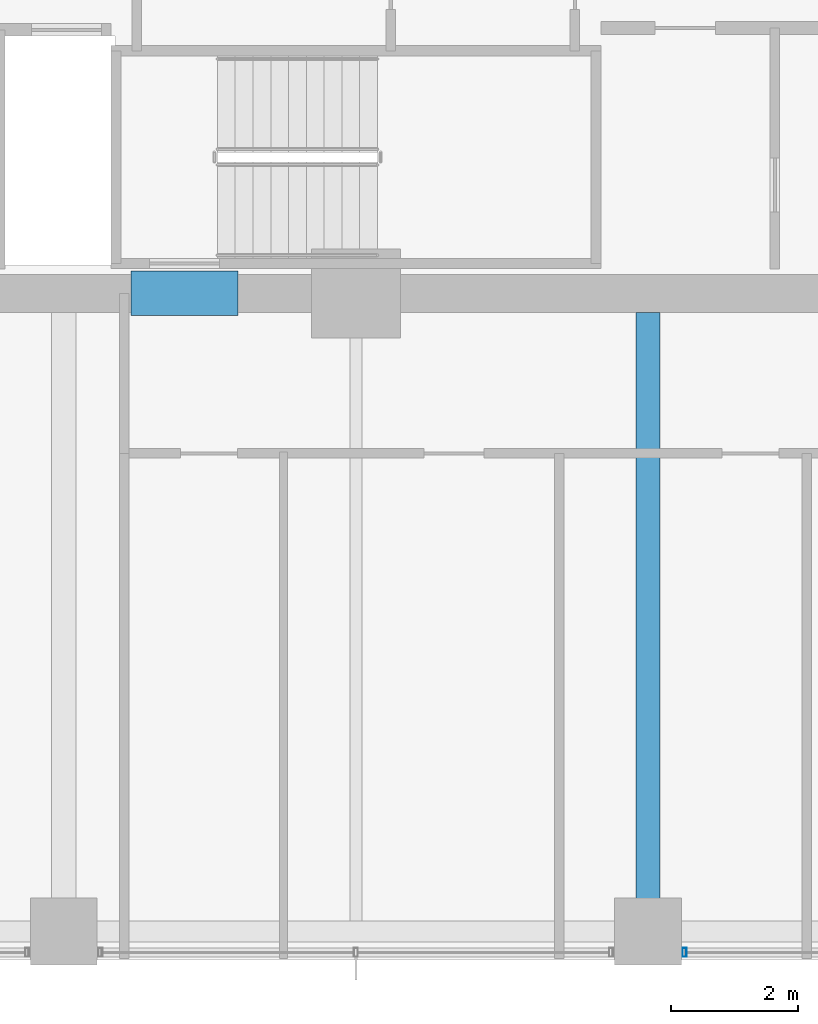
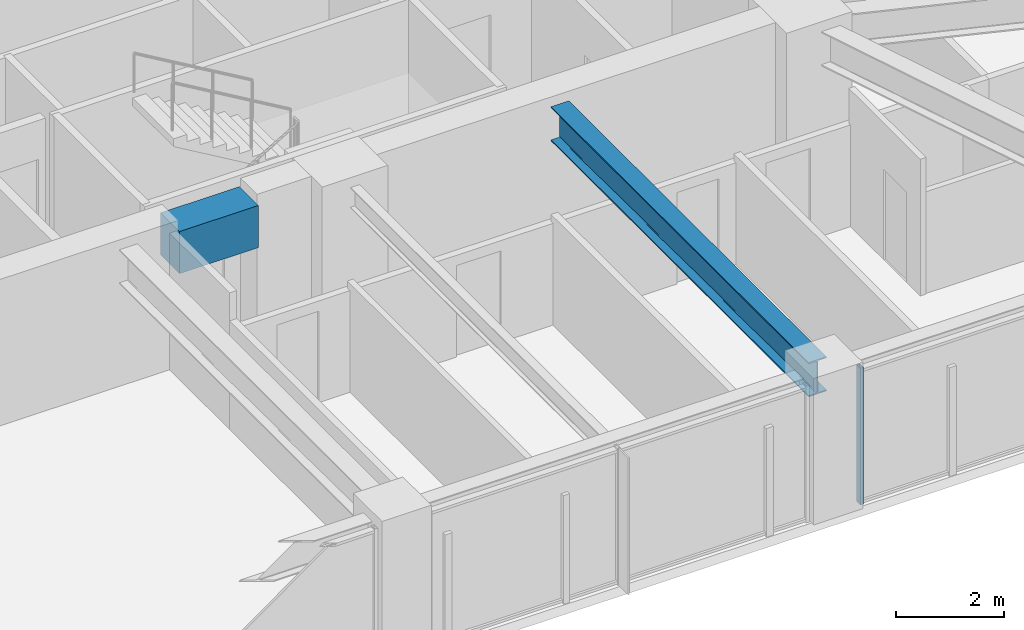
# One storey, part 7 of 36: 2 beams, 1 member, 1 element without a shape of its own.
"""IFC4 building model written with IfcOpenShell, lengths in metres."""

import ifcopenshell
import ifcopenshell.guid

model = None  # the IFC model being written
_history = None  # IfcOwnerHistory: only IFC2X3 demands one
_inside = {}  # id of a spatial element -> (the spatial element, [elements in it])
_under = {}  # id of a project, library or spatial element -> (it, [spatial elements below it])
_declared = {}  # id of a project -> (the project, [libraries it declares])
_typed = {}  # id of a type object -> (the type object, [elements of that type])
_made_of = {}  # id of a material, layer set ... -> (it, [elements and type objects made of it])


def new_model(schema):
    """Start an empty IFC model of exactly this schema.

    Asked for "IFC4X3", IfcOpenShell would pick the latest addendum, in which some entities
    have other attributes; the version numbers below select the first issue.
    IFC2X3 requires an IfcOwnerHistory on every rooted entity: one is made here for all.
    """
    global model, _history
    if schema == "IFC4X3":
        model = ifcopenshell.file(schema_version=(4, 3, 0, 0))
    else:
        model = ifcopenshell.file(schema=schema)
    _inside.clear()
    _under.clear()
    _declared.clear()
    _typed.clear()
    _made_of.clear()
    _history = None
    if model.schema == "IFC2X3":
        org = make("IfcOrganization", Name="unknown")
        user = make(
            "IfcPersonAndOrganization",
            ThePerson=make("IfcPerson", FamilyName="unknown"),
            TheOrganization=org,
        )
        app = make(
            "IfcApplication",
            ApplicationDeveloper=org,
            Version="unknown",
            ApplicationFullName="unknown",
            ApplicationIdentifier="unknown",
        )
        _history = make(
            "IfcOwnerHistory",
            OwningUser=user,
            OwningApplication=app,
            ChangeAction="ADDED",
            CreationDate=0,
        )
    return model


def make(cls, **values):
    """One entity of the class cls with the attributes given. An attribute that is None is left unset."""
    return model.create_entity(
        cls, **{name: value for name, value in values.items() if value is not None}
    )


def rooted(cls, **values):
    """An entity with a GlobalId (a new one), such as an element, a storey or a relation."""
    return make(cls, GlobalId=ifcopenshell.guid.new(), OwnerHistory=_history, **values)


def si_unit(unit_type, name, prefix=None):
    """IfcSIUnit, for example si_unit("LENGTHUNIT", "METRE", prefix="MILLI")."""
    return make("IfcSIUnit", UnitType=unit_type, Prefix=prefix, Name=name)


def assignment(units):
    """IfcUnitAssignment: the units of a project."""
    return None if units is None else make("IfcUnitAssignment", Units=units)


def point(xyz):
    """IfcCartesianPoint."""
    return None if xyz is None else make("IfcCartesianPoint", Coordinates=xyz)


def direction(xyz):
    """IfcDirection."""
    return None if xyz is None else make("IfcDirection", DirectionRatios=xyz)


def frame(location, z_axis=None, x_axis=None):
    """IfcAxis2Placement3D, a coordinate frame: its origin and axes. An axis left out is left unset."""
    return make(
        "IfcAxis2Placement3D",
        Location=point(location),
        Axis=direction(z_axis),
        RefDirection=direction(x_axis),
    )


def frame_2d(location, x_axis=None):
    """IfcAxis2Placement2D, a coordinate frame in the plane: its origin and x axis."""
    return make(
        "IfcAxis2Placement2D", Location=point(location), RefDirection=direction(x_axis)
    )


def origin():
    """The frame at (0, 0, 0) with its axes left unset."""
    return frame((0.0, 0.0, 0.0))


def origin_2d():
    """The frame at (0, 0) in the plane with its x axis left unset."""
    return frame_2d((0.0, 0.0))


def place(relative_to, where):
    """IfcLocalPlacement: puts the frame where relative to a parent placement (None: the world)."""
    return make(
        "IfcLocalPlacement", PlacementRelTo=relative_to, RelativePlacement=where
    )


def context(
    kind, dimensions, precision=None, world=None, true_north=None, identifier=None
):
    """IfcGeometricRepresentationContext, for example the 3D "Model" context."""
    return make(
        "IfcGeometricRepresentationContext",
        ContextIdentifier=identifier,
        ContextType=kind,
        CoordinateSpaceDimension=dimensions,
        Precision=precision,
        WorldCoordinateSystem=world,
        TrueNorth=true_north,
    )


def subcontext(parent, identifier, kind, view, scale=None):
    """IfcGeometricRepresentationSubContext, for example "Body" below "Model"."""
    return make(
        "IfcGeometricRepresentationSubContext",
        ContextIdentifier=identifier,
        ContextType=kind,
        ParentContext=parent,
        TargetScale=scale,
        TargetView=view,
    )


def project(units=None, contexts=None):
    """IfcProject with its units and contexts."""
    return rooted(
        "IfcProject",
        Name="project",
        RepresentationContexts=contexts,
        UnitsInContext=assignment(units),
    )


def spatial(cls, under=None, at=None, **own):
    """A site, building, storey or space (cls), placed at a placement, below another one or the project."""
    s = rooted(cls, ObjectPlacement=at, **own)
    if under is not None:
        _under.setdefault(under.id(), (under, []))[1].append(s)
    return s


def profile(cls, at=None, kind="AREA", **sizes):
    """A parametric profile (cls). Its sizes go by their IFC names, for example OverallWidth=200.0."""
    return make(cls, ProfileType=kind, Position=at, **sizes)


def rectangle(**sizes):
    """IfcRectangleProfileDef."""
    return profile("IfcRectangleProfileDef", **sizes)


def hollow_rectangle(**sizes):
    """IfcRectangleHollowProfileDef."""
    return profile("IfcRectangleHollowProfileDef", **sizes)


def i_section(**sizes):
    """IfcIShapeProfileDef."""
    return profile("IfcIShapeProfileDef", **sizes)


def extrude(swept, where, along, depth):
    """IfcExtrudedAreaSolid: the profile swept, set in the frame where, extruded along a direction by depth."""
    return make(
        "IfcExtrudedAreaSolid",
        SweptArea=swept,
        Position=where,
        ExtrudedDirection=direction(along),
        Depth=depth,
    )


def shape(context_of_items, identifier, shape_type, items):
    """IfcShapeRepresentation: the items that make up one representation, for example the "Body"."""
    return make(
        "IfcShapeRepresentation",
        ContextOfItems=context_of_items,
        RepresentationIdentifier=identifier,
        RepresentationType=shape_type,
        Items=items,
    )


def material(Name=None, Category=None):
    """IfcMaterial."""
    return make("IfcMaterial", Name=Name, Category=Category)


def material_profile(
    of_material, cross_section, Name=None, Category=None, Priority=None
):
    """IfcMaterialProfile: a cross section and its material."""
    return make(
        "IfcMaterialProfile",
        Name=Name,
        Material=of_material,
        Profile=cross_section,
        Priority=Priority,
        Category=Category,
    )


def profile_set(profiles, Name=None, composite=None):
    """IfcMaterialProfileSet."""
    return make(
        "IfcMaterialProfileSet",
        Name=Name,
        MaterialProfiles=profiles,
        CompositeProfile=composite,
    )


def made_of(thing, what):
    """Note that an element or type object is made of a material, layer set ...; save() writes the relation."""
    if what is not None:
        _made_of.setdefault(what.id(), (what, []))[1].append(thing)
    return thing


def type_object(cls, material=None, **own):
    """A type object (cls), such as IfcWallType, which elements share."""
    return made_of(rooted(cls, **own), material)


def element(
    cls,
    number,
    at=None,
    inside=None,
    cuts=None,
    type_object=None,
    material=None,
    context=None,
    identifier="Body",
    shape_type=None,
    held_by="IfcProductDefinitionShape",
    body=None,
    shapes=None,
    **own,
):
    """One element of the class cls, such as IfcWall. Its Tag is "e" and its number.

    at: its placement. inside: the storey or other place that contains it. cuts: it is an
    opening in that element (IfcRelVoidsElement). A single representation is given by context,
    identifier, shape_type and body (its items); several are given by shapes. held_by: the class
    of the entity that holds the representations. save() writes the other relations.
    """
    e = rooted(cls, Tag="e%d" % number, ObjectPlacement=at, **own)
    if body is not None:
        shapes = [shape(context, identifier, shape_type, body)]
    if shapes is not None:
        e.Representation = make(held_by, Representations=shapes)
    if inside is not None:
        _inside.setdefault(inside.id(), (inside, []))[1].append(e)
    if cuts is not None:
        rooted(
            "IfcRelVoidsElement", RelatingBuildingElement=cuts, RelatedOpeningElement=e
        )
    if type_object is not None:
        _typed.setdefault(type_object.id(), (type_object, []))[1].append(e)
    return made_of(e, material)


def aggregate(whole, parts):
    """IfcRelAggregates: a whole, such as a stair, and the parts it consists of."""
    return rooted("IfcRelAggregates", RelatingObject=whole, RelatedObjects=parts)


def save(model, path):
    """Write the relations noted so far, then the file.

    IfcRelAggregates (storeys below a building ...), IfcRelContainedInSpatialStructure (elements
    in a storey), IfcRelDefinesByType, IfcRelAssociatesMaterial and IfcRelDeclares: one each for
    every whole, place, type object, material and project.
    """
    for whole, parts in _under.values():
        aggregate(whole, parts)
    for where, things in _inside.values():
        rooted(
            "IfcRelContainedInSpatialStructure",
            RelatedElements=things,
            RelatingStructure=where,
        )
    for kind, things in _typed.values():
        rooted("IfcRelDefinesByType", RelatedObjects=things, RelatingType=kind)
    for what, things in _made_of.values():
        rooted("IfcRelAssociatesMaterial", RelatedObjects=things, RelatingMaterial=what)
    for by, libraries in _declared.values():
        rooted("IfcRelDeclares", RelatingContext=by, RelatedDefinitions=libraries)
    model.write(path)


model = new_model("IFC4")

# Units and contexts
model_context = context("Model", 3, precision=1e-05, world=origin(), true_north=direction((0.0, 1.0)))
body_context = subcontext(model_context, "Body", "Model", "MODEL_VIEW")
ifc_project = project(units=[si_unit("LENGTHUNIT", "METRE"), si_unit("AREAUNIT", "SQUARE_METRE"), si_unit("VOLUMEUNIT", "CUBIC_METRE"), si_unit("PLANEANGLEUNIT", "RADIAN"), si_unit("MASSUNIT", "GRAM", prefix="KILO")], contexts=[model_context])

# Site, building, storey
site_placement = place(None, origin())
site = spatial("IfcSite", under=ifc_project, at=site_placement, CompositionType="ELEMENT")
building_placement = place(site_placement, origin())
building = spatial("IfcBuilding", under=site, at=building_placement, Name="Kolvaren Belvedere", CompositionType="ELEMENT")
storey_placement = place(building_placement, frame((0.0, 0.0, 92.0)))
storey = spatial("IfcBuildingStorey", under=building, at=storey_placement, Name="L26", CompositionType="ELEMENT", Elevation=92.0)

# Beams
ifc_material_1 = material(Name="Structural steel ASTM A992 Grade 50", Category="steel")
ifc_material_profile_1 = material_profile(ifc_material_1, i_section(OverallWidth=0.381103515625, OverallDepth=0.77294921875, WebThickness=0.0166015625, FlangeThickness=0.027099609375, FilletRadius=0.02392578125, at=origin_2d()), Name="W30X173")
ifc_profile_set_1 = profile_set([ifc_material_profile_1], Name="Structural steel ASTM A992 Grade 50")
beam_type_1 = type_object("IfcBeamType", Name="BM-GIRD-W30X173", PredefinedType="BEAM", material=ifc_profile_set_1)
beam_1_placement = place(storey_placement, frame((4.60009765625, -10.199951171875, 2.693603515625), z_axis=(0.0, -1.0, 0.0), x_axis=(1.0, 0.0, 0.0)))
element("IfcBeam", 1, at=beam_1_placement, inside=storey, type_object=beam_type_1, Name="L26 South Radial Girder P", PredefinedType="BEAM", context=body_context, shape_type="SweptSolid", body=[
    extrude(i_section(OverallWidth=0.381103515625, OverallDepth=0.77294921875, WebThickness=0.0166015625, FlangeThickness=0.027099609375, FilletRadius=0.02392578125, at=origin_2d()), origin(), (0.0, 0.0, 1.0), 9.513916015625),
])
ifc_material_2 = material(Name="Concrete C60/75", Category="concrete")
ifc_material_profile_2 = material_profile(ifc_material_2, rectangle(XDim=0.699951171875, YDim=0.949951171875, at=origin_2d()), Name="RC 700X950")
ifc_profile_set_2 = profile_set([ifc_material_profile_2], Name="Concrete C60/75")
beam_type_2 = type_object("IfcBeamType", Name="BM-LINT-950", PredefinedType="LINTEL", material=ifc_profile_set_2)
beam_2_placement = place(storey_placement, frame((-3.5400390625, -9.89990234375, 2.60498046875), z_axis=(1.0, 0.0, 0.0), x_axis=(0.0, 1.0, 0.0)))
element("IfcBeam", 2, at=beam_2_placement, inside=storey, type_object=beam_type_2, Name="L26 South Core Coupling Lintel", PredefinedType="LINTEL", context=body_context, shape_type="SweptSolid", body=[
    extrude(rectangle(XDim=0.699951171875, YDim=0.949951171875, at=origin_2d()), origin(), (0.0, 0.0, 1.0), 1.679931640625),
])

# Curtain wall, member
ifc_material_3 = material(Name="Anodised pale-metal aluminium AA 6063-T6", Category="aluminium")
curtain_wall_type = type_object("IfcCurtainWallType", Name="CW-Z2-MID", PredefinedType="NOTDEFINED", material=ifc_material_3)
curtain_wall_placement = place(storey_placement, origin())
curtain_wall = element("IfcCurtainWall", 3, at=curtain_wall_placement, inside=storey, type_object=curtain_wall_type, Name="L26 Unitised Curtain Wall FCW-L26-S-B1", PredefinedType="NOTDEFINED")
ifc_material_4 = material(Name="Anodised pale-metal aluminium AA 6063-T6", Category="aluminium")
ifc_material_profile_3 = material_profile(ifc_material_4, hollow_rectangle(XDim=0.06494140625, YDim=0.139892578125, WallThickness=0.00390625, at=origin_2d()), Name="ALU-MUL-140X65")
ifc_profile_set_3 = profile_set([ifc_material_profile_3], Name="Anodised pale-metal aluminium AA 6063-T6")
member_type = type_object("IfcMemberType", Name="CW-MUL-140", PredefinedType="MULLION", material=ifc_profile_set_3)
member_placement = place(storey_placement, frame((5.177490234375, -20.280029296875, 0.0), z_axis=(0.0, 0.0, 1.0), x_axis=(1.0, 0.0, 0.0)))
member = element("IfcMember", 4, at=member_placement, type_object=member_type, Name="FCW-L26-S-B1 Unitised Mullion 3", PredefinedType="MULLION", context=body_context, shape_type="SweptSolid", body=[
    extrude(hollow_rectangle(XDim=0.06494140625, YDim=0.139892578125, WallThickness=0.00390625, at=origin_2d()), origin(), (0.0, 0.0, 1.0), 3.080078125),
])
aggregate(curtain_wall, [member])

save(model, "model.ifc")
